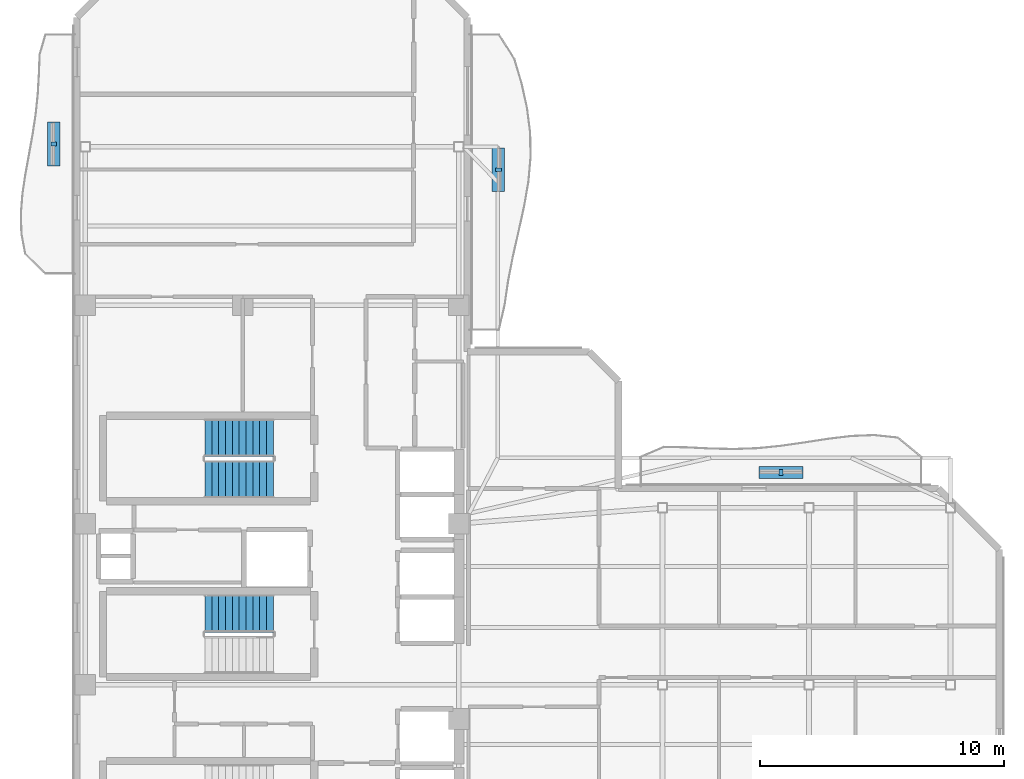
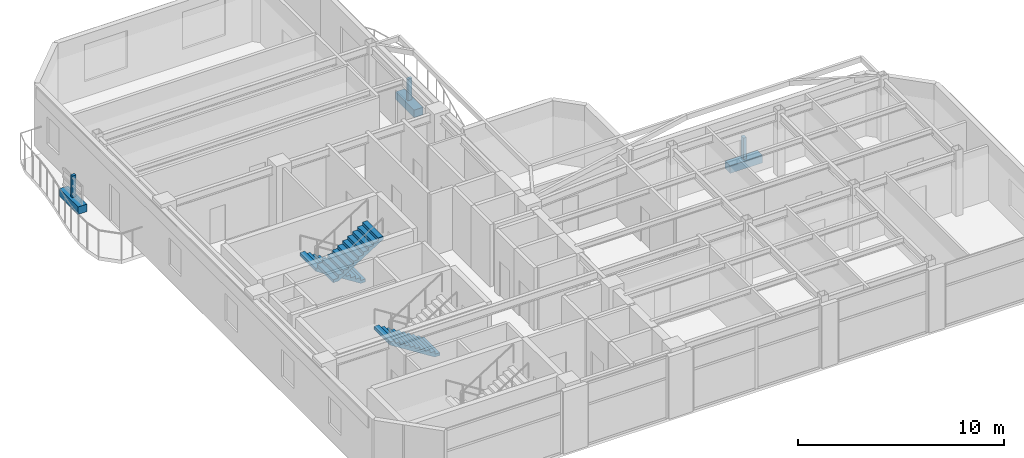
# One storey, part 12 of 15: 6 discrete accessories, 3 stair flights, 2 elements without a shape of their own.
"""IFC4 building model written with IfcOpenShell, lengths in metres."""

from ifc_helpers import new_model, si_unit, direction, frame, origin, origin_2d, place, context, subcontext, project, spatial, polyline, rectangle, outline, extrude, material, type_object, element, aggregate, save


model = new_model("IFC4")

# Units and contexts
model_context = context("Model", 3, precision=1e-05, world=origin(), true_north=direction((0.0, 1.0)))
body_context = subcontext(model_context, "Body", "Model", "MODEL_VIEW")
ifc_project = project(units=[si_unit("LENGTHUNIT", "METRE"), si_unit("AREAUNIT", "SQUARE_METRE"), si_unit("VOLUMEUNIT", "CUBIC_METRE"), si_unit("PLANEANGLEUNIT", "RADIAN"), si_unit("MASSUNIT", "GRAM", prefix="KILO")], contexts=[model_context])

# Site, building, storey
site_placement = place(None, origin())
site = spatial("IfcSite", under=ifc_project, at=site_placement, CompositionType="ELEMENT")
building_placement = place(site_placement, origin())
building = spatial("IfcBuilding", under=site, at=building_placement, Name="Mawjaban Terraces University", CompositionType="ELEMENT")
storey_placement = place(building_placement, frame((0.0, 0.0, 295.0)))
storey = spatial("IfcBuildingStorey", under=building, at=storey_placement, Name="L72", CompositionType="ELEMENT", Elevation=295.0)

# Stair, stair flights
ifc_material_1 = material(Name="Concrete C40/50", Category="concrete")
stair_type = type_object("IfcStairType", Name="Stair_Core1550_H39", PredefinedType="HALF_TURN_STAIR", material=ifc_material_1)
stair_1_placement = place(storey_placement, origin())
stair_1 = element("IfcStair", 1, at=stair_1_placement, inside=storey, type_object=stair_type, Name="L72 Core Exit Stair 2", PredefinedType="HALF_TURN_STAIR")
stair_flight_type = type_object("IfcStairFlightType", Name="Flight_Core1550_H39", PredefinedType="STRAIGHT", material=ifc_material_1)
stair_flight_1_placement = place(storey_placement, frame((30.050048828125, 18.074951171875, 0.0), z_axis=(0.0, 0.0, 1.0), x_axis=(-1.0, 0.0, 0.0)))
stair_flight_1 = element("IfcStairFlight", 2, at=stair_flight_1_placement, type_object=stair_flight_type, Name="ST-2 flight 1", NumberOfRisers=11, NumberOfTreads=10, PredefinedType="STRAIGHT", RiserHeight=0.177272727, TreadLength=0.28, context=body_context, shape_type="SweptSolid", body=[
    extrude(outline(polyline([(0.0, 0.0), (0.0, 0.17724609375), (0.280029296875, 0.17724609375), (0.280029296875, 0.3544921875), (0.56005859375, 0.3544921875), (0.56005859375, 0.53173828125), (0.840087890625, 0.53173828125), (0.840087890625, 0.708984375), (1.1201171875, 0.708984375), (1.1201171875, 0.886474609375), (1.39990234375, 0.886474609375), (1.39990234375, 1.063720703125), (1.679931640625, 1.063720703125), (1.679931640625, 1.240966796875), (1.9599609375, 1.240966796875), (1.9599609375, 1.418212890625), (2.239990234375, 1.418212890625), (2.239990234375, 1.595458984375), (2.52001953125, 1.595458984375), (2.52001953125, 1.772705078125), (2.800048828125, 1.772705078125), (2.800048828125, 1.949951171875), (2.800048828125, 1.59521484375), (0.2802734375, 0.0), (0.0, 0.0)])), frame((0.0, 0.77490234375, 0.0), z_axis=(0.0, -1.0, 0.0), x_axis=(1.0, 0.0, 0.0)), (0.0, 0.0, 1.0), 1.550048828125),
])
stair_flight_2_placement = place(storey_placement, frame((27.25, 16.375, 1.949951171875), z_axis=(0.0, 0.0, 1.0), x_axis=(1.0, 0.0, 0.0)))
stair_flight_2 = element("IfcStairFlight", 3, at=stair_flight_2_placement, type_object=stair_flight_type, Name="ST-2 flight 2", NumberOfRisers=11, NumberOfTreads=10, PredefinedType="STRAIGHT", RiserHeight=0.177272727, TreadLength=0.28, context=body_context, shape_type="SweptSolid", body=[
    extrude(outline(polyline([(0.0, 0.0), (0.0, 0.17724609375), (0.280029296875, 0.17724609375), (0.280029296875, 0.3544921875), (0.56005859375, 0.3544921875), (0.56005859375, 0.53173828125), (0.840087890625, 0.53173828125), (0.840087890625, 0.708984375), (1.1201171875, 0.708984375), (1.1201171875, 0.886474609375), (1.39990234375, 0.886474609375), (1.39990234375, 1.063720703125), (1.679931640625, 1.063720703125), (1.679931640625, 1.240966796875), (1.9599609375, 1.240966796875), (1.9599609375, 1.418212890625), (2.239990234375, 1.418212890625), (2.239990234375, 1.595458984375), (2.52001953125, 1.595458984375), (2.52001953125, 1.772705078125), (2.800048828125, 1.772705078125), (2.800048828125, 1.949951171875), (2.800048828125, 1.59521484375), (0.2802734375, 0.0), (0.0, 0.0)])), frame((0.0, 0.77490234375, 0.0), z_axis=(0.0, -1.0, 0.0), x_axis=(1.0, 0.0, 0.0)), (0.0, 0.0, 1.0), 1.550048828125),
])
aggregate(stair_1, [stair_flight_1, stair_flight_2])

# Stair, stair flight
stair_2_placement = place(storey_placement, origin())
stair_2 = element("IfcStair", 4, at=stair_2_placement, inside=storey, type_object=stair_type, Name="L72 Core Exit Stair 3", PredefinedType="HALF_TURN_STAIR")
stair_flight_3_placement = place(storey_placement, frame((30.050048828125, 10.875, 0.0), z_axis=(0.0, 0.0, 1.0), x_axis=(-1.0, 0.0, 0.0)))
stair_flight_3 = element("IfcStairFlight", 5, at=stair_flight_3_placement, type_object=stair_flight_type, Name="ST-3 flight 1", NumberOfRisers=11, NumberOfTreads=10, PredefinedType="STRAIGHT", RiserHeight=0.177272727, TreadLength=0.28, context=body_context, shape_type="SweptSolid", body=[
    extrude(outline(polyline([(0.0, 0.0), (0.0, 0.17724609375), (0.280029296875, 0.17724609375), (0.280029296875, 0.3544921875), (0.56005859375, 0.3544921875), (0.56005859375, 0.53173828125), (0.840087890625, 0.53173828125), (0.840087890625, 0.708984375), (1.1201171875, 0.708984375), (1.1201171875, 0.886474609375), (1.39990234375, 0.886474609375), (1.39990234375, 1.063720703125), (1.679931640625, 1.063720703125), (1.679931640625, 1.240966796875), (1.9599609375, 1.240966796875), (1.9599609375, 1.418212890625), (2.239990234375, 1.418212890625), (2.239990234375, 1.595458984375), (2.52001953125, 1.595458984375), (2.52001953125, 1.772705078125), (2.800048828125, 1.772705078125), (2.800048828125, 1.949951171875), (2.800048828125, 1.59521484375), (0.2802734375, 0.0), (0.0, 0.0)])), frame((0.0, 0.77490234375, 0.0), z_axis=(0.0, -1.0, 0.0), x_axis=(1.0, 0.0, 0.0)), (0.0, 0.0, 1.0), 1.550048828125),
])
aggregate(stair_2, [stair_flight_3])

# Discrete accessories
ifc_material_2 = material(Name="Stainless steel 316L", Category="steel")
discrete_accessory_type_1 = type_object("IfcDiscreteAccessoryType", Name="FacadeScreenBracket_Steel", PredefinedType="BRACKET", material=ifc_material_2)
for number, where, z_axis, x_axis, name in (
    (6, (21.056884765625, 30.10791015625, 0.419921875), (0.0, 0.0, 1.0), (0.0, 1.0, 0.0), "L72 Balcony Screen Support Bracket west"),
    (7, (50.85009765625, 16.64501953125, 0.419921875), (0.0, 0.0, 1.0), (1.0, 0.0, 0.0), "L72 Balcony Screen Support Bracket inner_north"),
    (8, (39.27197265625, 29.053955078125, 0.419921875), (0.0, 0.0, 1.0), (0.0, 1.0, 0.0), "L72 Balcony Screen Support Bracket inner_east"),
):
    element("IfcDiscreteAccessory", number, at=place(storey_placement, frame(where, z_axis=z_axis, x_axis=x_axis)), inside=storey, type_object=discrete_accessory_type_1, Name=name, PredefinedType="BRACKET", context=body_context, shape_type="SweptSolid", body=[
        extrude(rectangle(XDim=0.159912109375, YDim=0.239990234375, at=origin_2d()), origin(), (0.0, 0.0, 1.0), 1.300048828125),
    ])
ifc_material_3 = material(Name="Precast architectural terracotta planter with engineered planting soil", Category="masonry")
discrete_accessory_type_2 = type_object("IfcDiscreteAccessoryType", Name="IrrigatedPlanterTrough_450", PredefinedType="USERDEFINED", material=ifc_material_3)
for number, where, z_axis, x_axis, name in (
    (9, (21.056884765625, 30.10791015625, -0.0048828125), (0.0, 0.0, 1.0), (0.0, 1.0, 0.0), "L72 Balcony Irrigated Planter west"),
    (10, (50.85009765625, 16.64501953125, -0.0048828125), (0.0, 0.0, 1.0), (1.0, 0.0, 0.0), "L72 Balcony Irrigated Planter inner_north"),
    (11, (39.27197265625, 29.053955078125, -0.0048828125), (0.0, 0.0, 1.0), (0.0, 1.0, 0.0), "L72 Balcony Irrigated Planter inner_east"),
):
    element("IfcDiscreteAccessory", number, at=place(storey_placement, frame(where, z_axis=z_axis, x_axis=x_axis)), inside=storey, type_object=discrete_accessory_type_2, Name=name, ObjectType="PLANTER", PredefinedType="USERDEFINED", context=body_context, shape_type="SweptSolid", body=[
        extrude(rectangle(XDim=1.800048828125, YDim=0.5, at=origin_2d()), origin(), (0.0, 0.0, 1.0), 0.449951171875),
    ])

save(model, "model.ifc")
